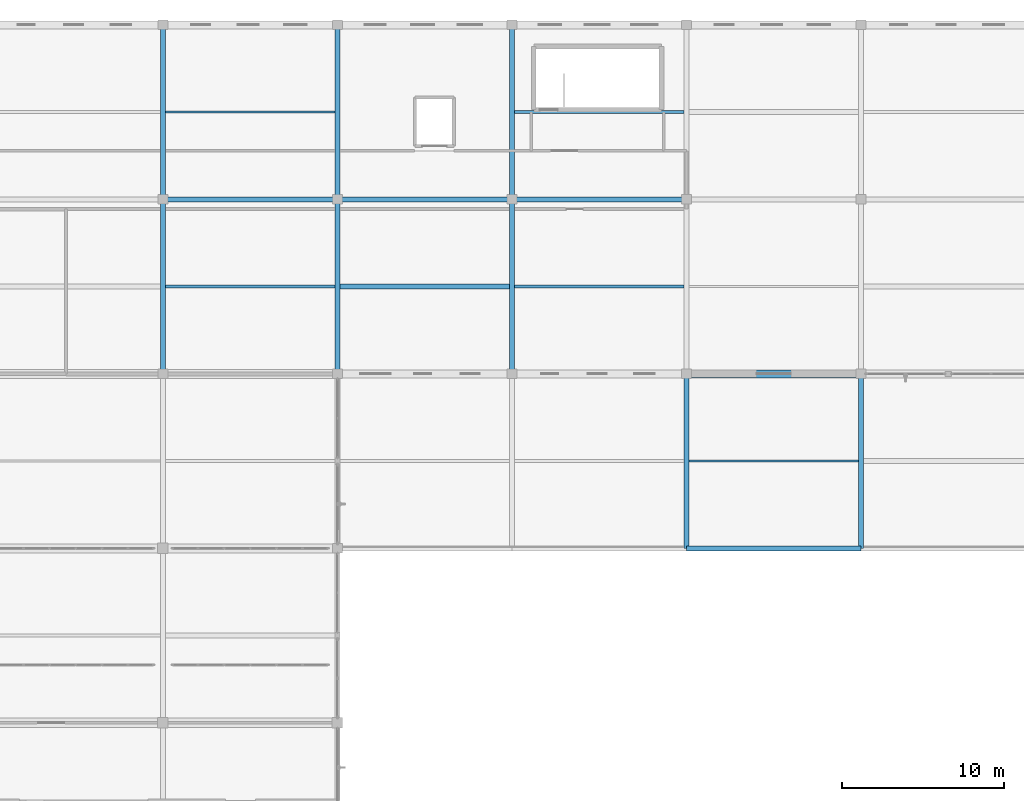
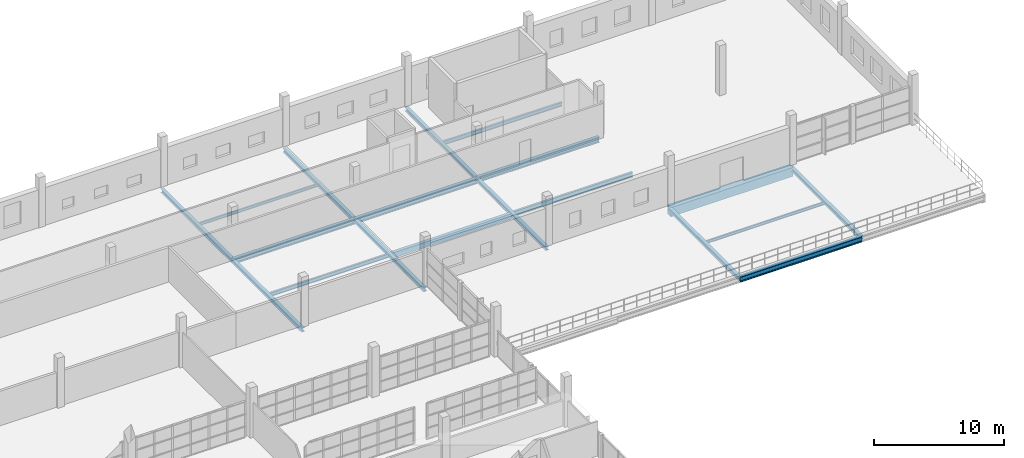
# One storey, part 77 of 142: 19 beams.
"""IFC4 building model written with IfcOpenShell, lengths in metres."""

from ifc_helpers import new_model, si_unit, direction, frame, origin, origin_2d, place, context, subcontext, project, spatial, rectangle, i_section, extrude, material, material_profile, profile_set, type_object, element, save


model = new_model("IFC4")

# Units and contexts
model_context = context("Model", 3, precision=1e-05, world=origin(), true_north=direction((0.0, 1.0)))
body_context = subcontext(model_context, "Body", "Model", "MODEL_VIEW")
ifc_project = project(units=[si_unit("LENGTHUNIT", "METRE"), si_unit("AREAUNIT", "SQUARE_METRE"), si_unit("VOLUMEUNIT", "CUBIC_METRE"), si_unit("PLANEANGLEUNIT", "RADIAN"), si_unit("MASSUNIT", "GRAM", prefix="KILO")], contexts=[model_context])

# Site, building, storey
site_placement = place(None, origin())
site = spatial("IfcSite", under=ifc_project, at=site_placement, CompositionType="ELEMENT")
building_placement = place(site_placement, origin())
building = spatial("IfcBuilding", under=site, at=building_placement, Name="Zwinboog Wholesale Market", CompositionType="ELEMENT")
storey_placement = place(building_placement, frame((0.0, 0.0, 5.39990234375)))
storey = spatial("IfcBuildingStorey", under=building, at=storey_placement, Name="L01", CompositionType="ELEMENT", Elevation=5.39990234375)

# Beams
ifc_material_1 = material(Name="Precast concrete C45/55", Category="concrete")
ifc_material_profile_1 = material_profile(ifc_material_1, rectangle(XDim=0.5, YDim=0.85009765625, at=origin_2d()), Name="PC 500x850")
ifc_profile_set_1 = profile_set([ifc_material_profile_1], Name="Precast concrete C45/55")
beam_type_1 = type_object("IfcBeamType", Name="BT-03", PredefinedType="BEAM", material=ifc_profile_set_1)
beam_1_placement = place(storey_placement, frame((194.39990234375, 108.0, -0.68701171875), z_axis=(1.0, 0.0, 0.0), x_axis=(0.0, 1.0, 0.0)))
element("IfcBeam", 1, at=beam_1_placement, inside=storey, type_object=beam_type_1, Name="BG-03 (BMG-L01-1944-1080-0559)", PredefinedType="BEAM", context=body_context, shape_type="SweptSolid", body=[
    extrude(rectangle(XDim=0.5, YDim=0.85009765625, at=origin_2d()), origin(), (0.0, 0.0, 1.0), 10.800048828125),
])
ifc_material_profile_2 = material_profile(ifc_material_1, rectangle(XDim=0.300048828125, YDim=0.5, at=origin_2d()), Name="PC 300x500")
ifc_profile_set_2 = profile_set([ifc_material_profile_2], Name="Precast concrete C45/55")
beam_type_2 = type_object("IfcBeamType", Name="BT-10", PredefinedType="JOIST", material=ifc_profile_set_2)
beam_2_placement = place(storey_placement, frame((172.949951171875, 113.39990234375, -0.581787109375), z_axis=(1.0, 0.0, 0.0), x_axis=(0.0, 1.0, 0.0)))
element("IfcBeam", 2, at=beam_2_placement, inside=storey, type_object=beam_type_2, Name="BJ-01 (BMG-L01-1730-1134-0885)", PredefinedType="JOIST", context=body_context, shape_type="SweptSolid", body=[
    extrude(rectangle(XDim=0.300048828125, YDim=0.5, at=origin_2d()), origin(), (0.0, 0.0, 1.0), 10.5),
])
ifc_material_2 = material(Name="Steel S355", Category="steel")
ifc_material_profile_3 = material_profile(ifc_material_2, i_section(OverallWidth=0.300048828125, OverallDepth=0.5, WebThickness=0.014404296875, FlangeThickness=0.028076171875, FilletRadius=0.027099609375, at=origin_2d()), Name="HEB 500")
ifc_profile_set_3 = profile_set([ifc_material_profile_3], Name="Steel S355")
beam_type_3 = type_object("IfcBeamType", Name="BT-14", PredefinedType="BEAM", material=ifc_profile_set_3)
for number, where, z_axis, x_axis, name in (
    (3, (162.0, 118.800048828125, -0.581787109375), (1.0, 0.0, 0.0), (0.0, 1.0, 0.0), "SB-01 (BMG-L01-1620-1188-0576)"),
    (4, (172.800048828125, 118.800048828125, -0.581787109375), (1.0, 0.0, 0.0), (0.0, 1.0, 0.0), "SB-01 (BMG-L01-1728-1188-0577)"),
):
    element("IfcBeam", number, at=place(storey_placement, frame(where, z_axis=z_axis, x_axis=x_axis)), inside=storey, type_object=beam_type_3, Name=name, PredefinedType="BEAM", context=body_context, shape_type="SweptSolid", body=[
        extrude(i_section(OverallWidth=0.300048828125, OverallDepth=0.5, WebThickness=0.014404296875, FlangeThickness=0.028076171875, FilletRadius=0.027099609375, at=origin_2d()), origin(), (0.0, 0.0, 1.0), 10.800048828125),
    ])
beam_3_placement = place(storey_placement, frame((183.60009765625, 118.800048828125, -0.5048828125), z_axis=(1.0, 0.0, 0.0), x_axis=(0.0, 1.0, 0.0)))
element("IfcBeam", 5, at=beam_3_placement, inside=storey, type_object=beam_type_3, Name="SB-01 (BMG-L01-1836-1188-0578)", PredefinedType="BEAM", context=body_context, shape_type="SweptSolid", body=[
    extrude(i_section(OverallWidth=0.300048828125, OverallDepth=0.5, WebThickness=0.014404296875, FlangeThickness=0.028076171875, FilletRadius=0.027099609375, at=origin_2d()), origin(), (0.0, 0.0, 1.0), 10.7998046875),
])
beam_4_placement = place(storey_placement, frame((194.39990234375, 97.199951171875, -0.511962890625), z_axis=(1.0, 0.0, 0.0), x_axis=(0.0, 1.0, 0.0)))
element("IfcBeam", 6, at=beam_4_placement, inside=storey, type_object=beam_type_3, Name="SB-01 (BM-TER-L01-0055)", PredefinedType="BEAM", context=body_context, shape_type="SweptSolid", body=[
    extrude(i_section(OverallWidth=0.300048828125, OverallDepth=0.5, WebThickness=0.014404296875, FlangeThickness=0.028076171875, FilletRadius=0.027099609375, at=origin_2d()), origin(), (0.0, 0.0, 1.0), 10.800048828125),
])
ifc_material_profile_4 = material_profile(ifc_material_2, i_section(OverallWidth=0.300048828125, OverallDepth=0.35009765625, WebThickness=0.010009765625, FlangeThickness=0.017578125, FilletRadius=0.027099609375, at=origin_2d()), Name="HEA 360")
ifc_profile_set_4 = profile_set([ifc_material_profile_4], Name="Steel S355")
beam_type_4 = type_object("IfcBeamType", Name="BT-17", PredefinedType="BEAM", material=ifc_profile_set_4)
for number, where, z_axis, x_axis, name in (
    (7, (162.0, 108.0, -0.5068359375), (0.0, 1.0, 0.0), (-1.0, 0.0, 0.0), "SB-04 (BMG-L01-1620-1080-0743)"),
    (8, (162.0, 118.800048828125, -0.5068359375), (0.0, 1.0, 0.0), (-1.0, 0.0, 0.0), "SB-04 (BMG-L01-1620-1188-0744)"),
    (9, (172.800048828125, 108.0, -0.5068359375), (0.0, 1.0, 0.0), (-1.0, 0.0, 0.0), "SB-04 (BMG-L01-1728-1080-0755)"),
    (10, (172.800048828125, 118.800048828125, -0.5068359375), (0.0, 1.0, 0.0), (-1.0, 0.0, 0.0), "SB-04 (BMG-L01-1728-1188-0756)"),
    (11, (183.60009765625, 108.0, -0.43701171875), (0.0, 1.0, 0.0), (-1.0, 0.0, 0.0), "SB-04 (BMG-L01-1836-1080-0760)"),
    (12, (183.60009765625, 118.800048828125, -0.429931640625), (0.0, 1.0, 0.0), (-1.0, 0.0, 0.0), "SB-04 (BMG-L01-1836-1188-0761)"),
    (13, (194.39990234375, 97.199951171875, -0.43701171875), (0.0, 1.0, 0.0), (-1.0, 0.0, 0.0), "SB-04 (BM-TER-L01-0062)"),
    (14, (205.199951171875, 97.199951171875, -0.43701171875), (0.0, 1.0, 0.0), (-1.0, 0.0, 0.0), "SB-04 (BM-TER-L01-0063)"),
):
    element("IfcBeam", number, at=place(storey_placement, frame(where, z_axis=z_axis, x_axis=x_axis)), inside=storey, type_object=beam_type_4, Name=name, PredefinedType="BEAM", context=body_context, shape_type="SweptSolid", body=[
        extrude(i_section(OverallWidth=0.300048828125, OverallDepth=0.35009765625, WebThickness=0.010009765625, FlangeThickness=0.017578125, FilletRadius=0.027099609375, at=origin_2d()), origin(), (0.0, 0.0, 1.0), 10.800048828125),
    ])
ifc_material_profile_5 = material_profile(ifc_material_2, i_section(OverallWidth=0.18994140625, OverallDepth=0.449951171875, WebThickness=0.009521484375, FlangeThickness=0.0146484375, FilletRadius=0.02099609375, at=origin_2d()), Name="IPE 450")
ifc_profile_set_5 = profile_set([ifc_material_profile_5], Name="Steel S355")
beam_type_5 = type_object("IfcBeamType", Name="BT-19", PredefinedType="JOIST", material=ifc_profile_set_5)
beam_5_placement = place(storey_placement, frame((183.75, 113.39990234375, -0.47998046875), z_axis=(1.0, 0.0, 0.0), x_axis=(0.0, 1.0, 0.0)))
element("IfcBeam", 15, at=beam_5_placement, inside=storey, type_object=beam_type_5, Name="SJ-02 (BMG-L01-1838-1134-0886)", PredefinedType="JOIST", context=body_context, shape_type="SweptSolid", body=[
    extrude(i_section(OverallWidth=0.18994140625, OverallDepth=0.449951171875, WebThickness=0.009521484375, FlangeThickness=0.0146484375, FilletRadius=0.02099609375, at=origin_2d()), origin(), (0.0, 0.0, 1.0), 10.5),
])
ifc_material_profile_6 = material_profile(ifc_material_2, i_section(OverallWidth=0.169921875, OverallDepth=0.360107421875, WebThickness=0.008056640625, FlangeThickness=0.0126953125, FilletRadius=0.01806640625, at=origin_2d()), Name="IPE 360")
ifc_profile_set_6 = profile_set([ifc_material_profile_6], Name="Steel S355")
beam_type_6 = type_object("IfcBeamType", Name="BT-20", PredefinedType="JOIST", material=ifc_profile_set_6)
for number, where, z_axis, x_axis, name in (
    (16, (162.14990234375, 113.39990234375, -0.511962890625), (1.0, 0.0, 0.0), (0.0, 1.0, 0.0), "SJ-03 (BMG-L01-1622-1134-0883)"),
    (17, (183.75, 124.199951171875, -0.434814453125), (1.0, 0.0, 0.0), (0.0, 1.0, 0.0), "SJ-03 (BMG-L01-1838-1242-0887)"),
):
    element("IfcBeam", number, at=place(storey_placement, frame(where, z_axis=z_axis, x_axis=x_axis)), inside=storey, type_object=beam_type_6, Name=name, PredefinedType="JOIST", context=body_context, shape_type="SweptSolid", body=[
        extrude(i_section(OverallWidth=0.169921875, OverallDepth=0.360107421875, WebThickness=0.008056640625, FlangeThickness=0.0126953125, FilletRadius=0.01806640625, at=origin_2d()), origin(), (0.0, 0.0, 1.0), 10.5),
    ])
ifc_material_profile_7 = material_profile(ifc_material_2, i_section(OverallWidth=0.135009765625, OverallDepth=0.27001953125, WebThickness=0.006591796875, FlangeThickness=0.01025390625, FilletRadius=0.014892578125, at=origin_2d()), Name="IPE 270")
ifc_profile_set_7 = profile_set([ifc_material_profile_7], Name="Steel S355")
beam_type_7 = type_object("IfcBeamType", Name="BT-21", PredefinedType="JOIST", material=ifc_profile_set_7)
for number, where, z_axis, x_axis, name in (
    (18, (162.14990234375, 124.199951171875, -0.466796875), (1.0, 0.0, 0.0), (0.0, 1.0, 0.0), "SJ-04 (BMG-L01-1622-1242-0884)"),
    (19, (194.550048828125, 102.60009765625, -0.39697265625), (1.0, 0.0, 0.0), (0.0, 1.0, 0.0), "SJ-04 (BM-TER-L01-0071)"),
):
    element("IfcBeam", number, at=place(storey_placement, frame(where, z_axis=z_axis, x_axis=x_axis)), inside=storey, type_object=beam_type_7, Name=name, PredefinedType="JOIST", context=body_context, shape_type="SweptSolid", body=[
        extrude(i_section(OverallWidth=0.135009765625, OverallDepth=0.27001953125, WebThickness=0.006591796875, FlangeThickness=0.01025390625, FilletRadius=0.014892578125, at=origin_2d()), origin(), (0.0, 0.0, 1.0), 10.5),
    ])

save(model, "model.ifc")
